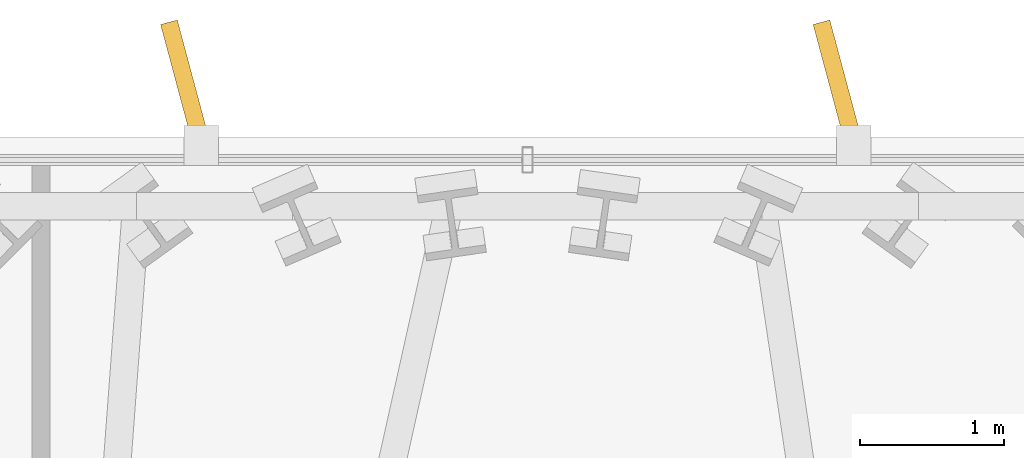
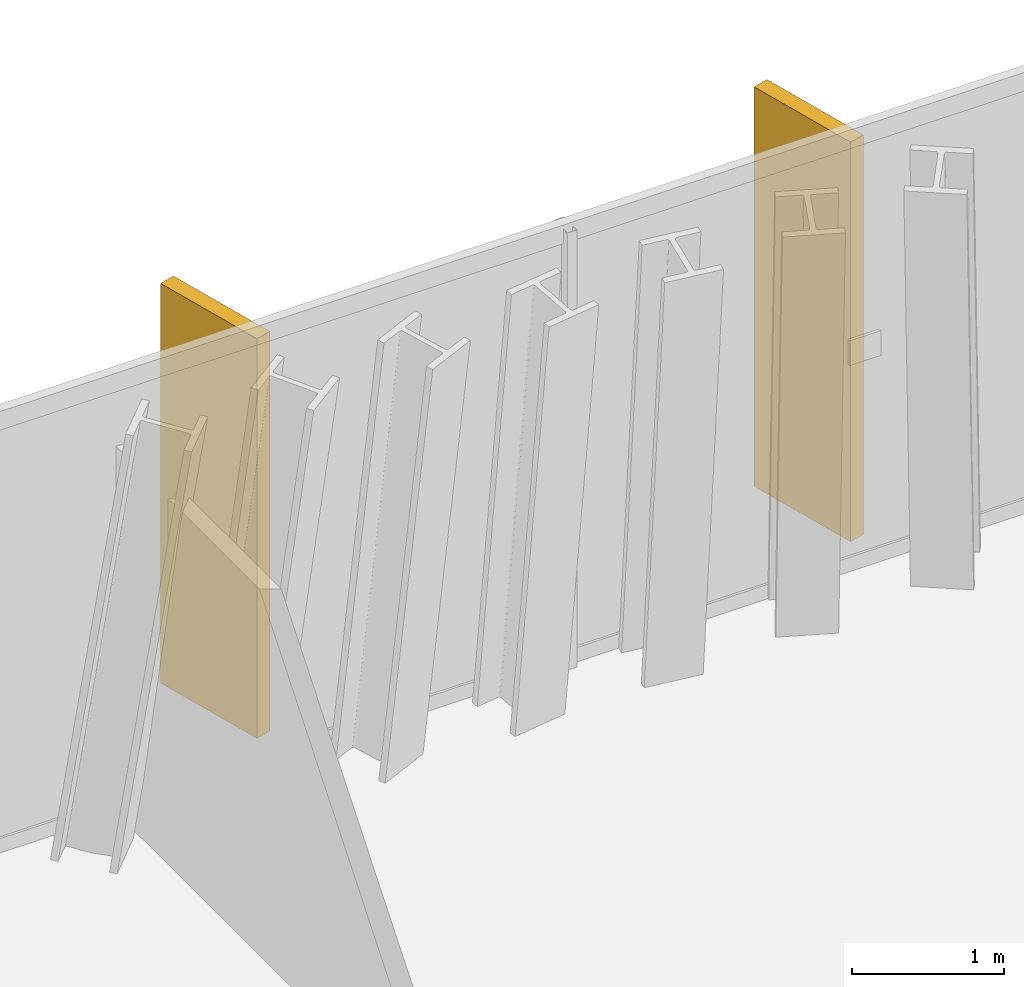
# One storey, part 34 of 34: 2 shading devices.
"""IFC4 building model written with IfcOpenShell, lengths in metres."""

import ifcopenshell
import ifcopenshell.guid

model = None  # the IFC model being written
_history = None  # IfcOwnerHistory: only IFC2X3 demands one
_inside = {}  # id of a spatial element -> (the spatial element, [elements in it])
_under = {}  # id of a project, library or spatial element -> (it, [spatial elements below it])
_declared = {}  # id of a project -> (the project, [libraries it declares])
_typed = {}  # id of a type object -> (the type object, [elements of that type])
_made_of = {}  # id of a material, layer set ... -> (it, [elements and type objects made of it])


def new_model(schema):
    """Start an empty IFC model of exactly this schema.

    Asked for "IFC4X3", IfcOpenShell would pick the latest addendum, in which some entities
    have other attributes; the version numbers below select the first issue.
    IFC2X3 requires an IfcOwnerHistory on every rooted entity: one is made here for all.
    """
    global model, _history
    if schema == "IFC4X3":
        model = ifcopenshell.file(schema_version=(4, 3, 0, 0))
    else:
        model = ifcopenshell.file(schema=schema)
    _inside.clear()
    _under.clear()
    _declared.clear()
    _typed.clear()
    _made_of.clear()
    _history = None
    if model.schema == "IFC2X3":
        org = make("IfcOrganization", Name="unknown")
        user = make(
            "IfcPersonAndOrganization",
            ThePerson=make("IfcPerson", FamilyName="unknown"),
            TheOrganization=org,
        )
        app = make(
            "IfcApplication",
            ApplicationDeveloper=org,
            Version="unknown",
            ApplicationFullName="unknown",
            ApplicationIdentifier="unknown",
        )
        _history = make(
            "IfcOwnerHistory",
            OwningUser=user,
            OwningApplication=app,
            ChangeAction="ADDED",
            CreationDate=0,
        )
    return model


def make(cls, **values):
    """One entity of the class cls with the attributes given. An attribute that is None is left unset."""
    return model.create_entity(
        cls, **{name: value for name, value in values.items() if value is not None}
    )


def rooted(cls, **values):
    """An entity with a GlobalId (a new one), such as an element, a storey or a relation."""
    return make(cls, GlobalId=ifcopenshell.guid.new(), OwnerHistory=_history, **values)


def si_unit(unit_type, name, prefix=None):
    """IfcSIUnit, for example si_unit("LENGTHUNIT", "METRE", prefix="MILLI")."""
    return make("IfcSIUnit", UnitType=unit_type, Prefix=prefix, Name=name)


def assignment(units):
    """IfcUnitAssignment: the units of a project."""
    return None if units is None else make("IfcUnitAssignment", Units=units)


def point(xyz):
    """IfcCartesianPoint."""
    return None if xyz is None else make("IfcCartesianPoint", Coordinates=xyz)


def direction(xyz):
    """IfcDirection."""
    return None if xyz is None else make("IfcDirection", DirectionRatios=xyz)


def frame(location, z_axis=None, x_axis=None):
    """IfcAxis2Placement3D, a coordinate frame: its origin and axes. An axis left out is left unset."""
    return make(
        "IfcAxis2Placement3D",
        Location=point(location),
        Axis=direction(z_axis),
        RefDirection=direction(x_axis),
    )


def frame_2d(location, x_axis=None):
    """IfcAxis2Placement2D, a coordinate frame in the plane: its origin and x axis."""
    return make(
        "IfcAxis2Placement2D", Location=point(location), RefDirection=direction(x_axis)
    )


def origin():
    """The frame at (0, 0, 0) with its axes left unset."""
    return frame((0.0, 0.0, 0.0))


def origin_2d():
    """The frame at (0, 0) in the plane with its x axis left unset."""
    return frame_2d((0.0, 0.0))


def place(relative_to, where):
    """IfcLocalPlacement: puts the frame where relative to a parent placement (None: the world)."""
    return make(
        "IfcLocalPlacement", PlacementRelTo=relative_to, RelativePlacement=where
    )


def context(
    kind, dimensions, precision=None, world=None, true_north=None, identifier=None
):
    """IfcGeometricRepresentationContext, for example the 3D "Model" context."""
    return make(
        "IfcGeometricRepresentationContext",
        ContextIdentifier=identifier,
        ContextType=kind,
        CoordinateSpaceDimension=dimensions,
        Precision=precision,
        WorldCoordinateSystem=world,
        TrueNorth=true_north,
    )


def subcontext(parent, identifier, kind, view, scale=None):
    """IfcGeometricRepresentationSubContext, for example "Body" below "Model"."""
    return make(
        "IfcGeometricRepresentationSubContext",
        ContextIdentifier=identifier,
        ContextType=kind,
        ParentContext=parent,
        TargetScale=scale,
        TargetView=view,
    )


def project(units=None, contexts=None):
    """IfcProject with its units and contexts."""
    return rooted(
        "IfcProject",
        Name="project",
        RepresentationContexts=contexts,
        UnitsInContext=assignment(units),
    )


def spatial(cls, under=None, at=None, **own):
    """A site, building, storey or space (cls), placed at a placement, below another one or the project."""
    s = rooted(cls, ObjectPlacement=at, **own)
    if under is not None:
        _under.setdefault(under.id(), (under, []))[1].append(s)
    return s


def profile(cls, at=None, kind="AREA", **sizes):
    """A parametric profile (cls). Its sizes go by their IFC names, for example OverallWidth=200.0."""
    return make(cls, ProfileType=kind, Position=at, **sizes)


def rectangle(**sizes):
    """IfcRectangleProfileDef."""
    return profile("IfcRectangleProfileDef", **sizes)


def extrude(swept, where, along, depth):
    """IfcExtrudedAreaSolid: the profile swept, set in the frame where, extruded along a direction by depth."""
    return make(
        "IfcExtrudedAreaSolid",
        SweptArea=swept,
        Position=where,
        ExtrudedDirection=direction(along),
        Depth=depth,
    )


def shape(context_of_items, identifier, shape_type, items):
    """IfcShapeRepresentation: the items that make up one representation, for example the "Body"."""
    return make(
        "IfcShapeRepresentation",
        ContextOfItems=context_of_items,
        RepresentationIdentifier=identifier,
        RepresentationType=shape_type,
        Items=items,
    )


def material(Name=None, Category=None):
    """IfcMaterial."""
    return make("IfcMaterial", Name=Name, Category=Category)


def made_of(thing, what):
    """Note that an element or type object is made of a material, layer set ...; save() writes the relation."""
    if what is not None:
        _made_of.setdefault(what.id(), (what, []))[1].append(thing)
    return thing


def type_object(cls, material=None, **own):
    """A type object (cls), such as IfcWallType, which elements share."""
    return made_of(rooted(cls, **own), material)


def element(
    cls,
    number,
    at=None,
    inside=None,
    cuts=None,
    type_object=None,
    material=None,
    context=None,
    identifier="Body",
    shape_type=None,
    held_by="IfcProductDefinitionShape",
    body=None,
    shapes=None,
    **own,
):
    """One element of the class cls, such as IfcWall. Its Tag is "e" and its number.

    at: its placement. inside: the storey or other place that contains it. cuts: it is an
    opening in that element (IfcRelVoidsElement). A single representation is given by context,
    identifier, shape_type and body (its items); several are given by shapes. held_by: the class
    of the entity that holds the representations. save() writes the other relations.
    """
    e = rooted(cls, Tag="e%d" % number, ObjectPlacement=at, **own)
    if body is not None:
        shapes = [shape(context, identifier, shape_type, body)]
    if shapes is not None:
        e.Representation = make(held_by, Representations=shapes)
    if inside is not None:
        _inside.setdefault(inside.id(), (inside, []))[1].append(e)
    if cuts is not None:
        rooted(
            "IfcRelVoidsElement", RelatingBuildingElement=cuts, RelatedOpeningElement=e
        )
    if type_object is not None:
        _typed.setdefault(type_object.id(), (type_object, []))[1].append(e)
    return made_of(e, material)


def aggregate(whole, parts):
    """IfcRelAggregates: a whole, such as a stair, and the parts it consists of."""
    return rooted("IfcRelAggregates", RelatingObject=whole, RelatedObjects=parts)


def save(model, path):
    """Write the relations noted so far, then the file.

    IfcRelAggregates (storeys below a building ...), IfcRelContainedInSpatialStructure (elements
    in a storey), IfcRelDefinesByType, IfcRelAssociatesMaterial and IfcRelDeclares: one each for
    every whole, place, type object, material and project.
    """
    for whole, parts in _under.values():
        aggregate(whole, parts)
    for where, things in _inside.values():
        rooted(
            "IfcRelContainedInSpatialStructure",
            RelatedElements=things,
            RelatingStructure=where,
        )
    for kind, things in _typed.values():
        rooted("IfcRelDefinesByType", RelatedObjects=things, RelatingType=kind)
    for what, things in _made_of.values():
        rooted("IfcRelAssociatesMaterial", RelatedObjects=things, RelatingMaterial=what)
    for by, libraries in _declared.values():
        rooted("IfcRelDeclares", RelatingContext=by, RelatedDefinitions=libraries)
    model.write(path)


model = new_model("IFC4")

# Units and contexts
model_context = context("Model", 3, precision=1e-05, world=origin(), true_north=direction((0.0, 1.0)))
body_context = subcontext(model_context, "Body", "Model", "MODEL_VIEW")
ifc_project = project(units=[si_unit("LENGTHUNIT", "METRE"), si_unit("AREAUNIT", "SQUARE_METRE"), si_unit("VOLUMEUNIT", "CUBIC_METRE"), si_unit("PLANEANGLEUNIT", "RADIAN"), si_unit("MASSUNIT", "GRAM", prefix="KILO")], contexts=[model_context])

# Site, building, storey
site_placement = place(None, origin())
site = spatial("IfcSite", under=ifc_project, at=site_placement, CompositionType="ELEMENT")
building_placement = place(site_placement, origin())
building = spatial("IfcBuilding", under=site, at=building_placement, Name="Ndaravel Arena Tower", CompositionType="ELEMENT")
storey_placement = place(building_placement, frame((0.0, 0.0, 199.199951171875)))
storey = spatial("IfcBuildingStorey", under=building, at=storey_placement, Name="L48", CompositionType="ELEMENT", Elevation=199.199951171875)

# Shading devices
ifc_material = material(Name="Masonry", Category="masonry")
shading_device_type = type_object("IfcShadingDeviceType", Name="SHD-MAZERAS-FIN", PredefinedType="SHUTTER", material=ifc_material)
for number, where, z_axis, x_axis, name in (
    (1, (44.154296875, 46.64599609375, 0.14990234375), (0.0, 0.0, 1.0), (-0.258819045103, 0.965925826289, 0.0), "L48 Mazeras Stone Solar Fin E4.1"),
    (2, (39.63134765625, 46.64599609375, 0.14990234375), (0.0, 0.0, 1.0), (-0.258819045103, 0.965925826289, 0.0), "L48 Mazeras Stone Solar Fin E4.2"),
):
    element("IfcShadingDevice", number, at=place(storey_placement, frame(where, z_axis=z_axis, x_axis=x_axis)), inside=storey, type_object=shading_device_type, Name=name, PredefinedType="SHUTTER", context=body_context, shape_type="SweptSolid", body=[
        extrude(rectangle(XDim=0.89990234375, YDim=0.1201171875, at=origin_2d()), origin(), (0.0, 0.0, 1.0), 3.219970703125),
    ])

save(model, "model.ifc")
